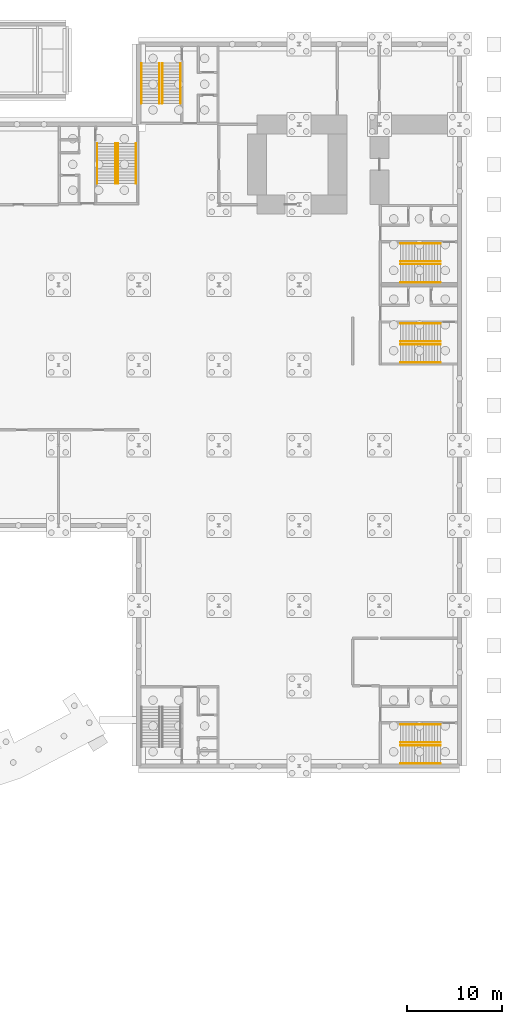
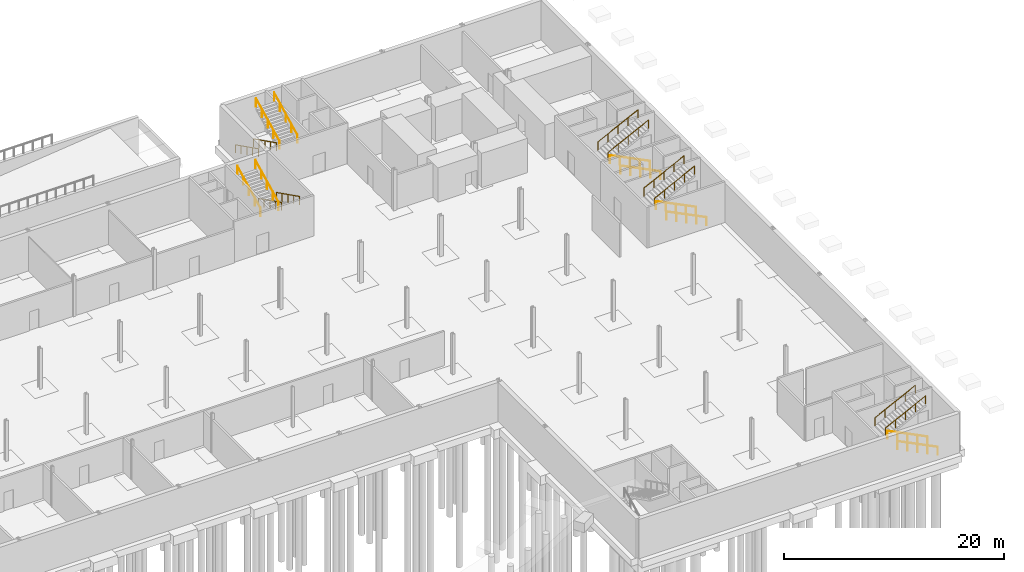
# One storey, part 35 of 35: 20 railings.
"""IFC4 building model written with IfcOpenShell, lengths in metres."""

from ifc_helpers import new_model, si_unit, direction, frame, origin, origin_2d, place, context, subcontext, project, spatial, circle, extrude, material, type_object, element, save


model = new_model("IFC4")

# Units and contexts
model_context = context("Model", 3, precision=1e-05, world=origin(), true_north=direction((0.0, 1.0)))
body_context = subcontext(model_context, "Body", "Model", "MODEL_VIEW")
ifc_project = project(units=[si_unit("LENGTHUNIT", "METRE"), si_unit("AREAUNIT", "SQUARE_METRE"), si_unit("VOLUMEUNIT", "CUBIC_METRE"), si_unit("PLANEANGLEUNIT", "RADIAN"), si_unit("MASSUNIT", "GRAM", prefix="KILO")], contexts=[model_context])

# Site, building, storey
site_placement = place(None, origin())
site = spatial("IfcSite", under=ifc_project, at=site_placement, CompositionType="ELEMENT")
building_placement = place(site_placement, origin())
building = spatial("IfcBuilding", under=site, at=building_placement, Name="Ardhachandra Cancer Care Centre", CompositionType="ELEMENT")
storey_placement = place(building_placement, frame((0.0, 0.0, -4.5)))
storey = spatial("IfcBuildingStorey", under=building, at=storey_placement, Name="B1", CompositionType="ELEMENT", Elevation=-4.5)

# Railings
ifc_material = material(Name="Steel E250 (IS 2062)", Category="steel")
railing_type = type_object("IfcRailingType", Name="Stair handrail 900", PredefinedType="HANDRAIL", material=ifc_material)
for number, where, name in (
    (1, (111.340087890625, 94.60009765625, 0.14990234375), "Handrail K7 B1-L00 flight 1 wall side"),
    (2, (109.449951171875, 94.60009765625, 0.14990234375), "Handrail K7 B1-L00 flight 1 well side"),
):
    element("IfcRailing", number, at=place(storey_placement, frame(where)), inside=storey, type_object=railing_type, Name=name, PredefinedType="HANDRAIL", context=body_context, shape_type="SweptSolid", body=[
        extrude(circle(Radius=0.02392578125, at=origin_2d()), frame((0.0, 0.0, 0.8759765625), z_axis=(0.0, -0.894427191, 0.4472135955), x_axis=(1.0, 0.0, 0.0)), (0.0, 0.0, 1.0), 4.696044921875),
        extrude(circle(Radius=0.02099609375, at=origin_2d()), origin(), (0.0, 0.0, 1.0), 0.851806640625),
        extrude(circle(Radius=0.02099609375, at=origin_2d()), frame((0.0, -1.050048828125, 0.52490234375)), (0.0, 0.0, 1.0), 0.851806640625),
        extrude(circle(Radius=0.02099609375, at=origin_2d()), frame((0.0, -2.10009765625, 1.050048828125)), (0.0, 0.0, 1.0), 0.851806640625),
        extrude(circle(Radius=0.02099609375, at=origin_2d()), frame((0.0, -3.150146484375, 1.5751953125)), (0.0, 0.0, 1.0), 0.851806640625),
        extrude(circle(Radius=0.02099609375, at=origin_2d()), frame((0.0, -4.2001953125, 2.10009765625)), (0.0, 0.0, 1.0), 0.851806640625),
    ])
for number, where, name in (
    (3, (109.14990234375, 90.39990234375, 2.39990234375), "Handrail K7 B1-L00 flight 2 well side"),
    (4, (107.260009765625, 90.39990234375, 2.39990234375), "Handrail K7 B1-L00 flight 2 wall side"),
):
    element("IfcRailing", number, at=place(storey_placement, frame(where)), inside=storey, type_object=railing_type, Name=name, PredefinedType="HANDRAIL", context=body_context, shape_type="SweptSolid", body=[
        extrude(circle(Radius=0.02392578125, at=origin_2d()), frame((0.0, 0.0, 0.8759765625), z_axis=(0.0, 0.894427191, 0.4472135955), x_axis=(-1.0, 0.0, 0.0)), (0.0, 0.0, 1.0), 4.696044921875),
        extrude(circle(Radius=0.02099609375, at=origin_2d()), origin(), (0.0, 0.0, 1.0), 0.851806640625),
        extrude(circle(Radius=0.02099609375, at=origin_2d()), frame((0.0, 1.050048828125, 0.52490234375)), (0.0, 0.0, 1.0), 0.851806640625),
        extrude(circle(Radius=0.02099609375, at=origin_2d()), frame((0.0, 2.10009765625, 1.050048828125)), (0.0, 0.0, 1.0), 0.851806640625),
        extrude(circle(Radius=0.02099609375, at=origin_2d()), frame((0.0, 3.150146484375, 1.5751953125)), (0.0, 0.0, 1.0), 0.851806640625),
        extrude(circle(Radius=0.02099609375, at=origin_2d()), frame((0.0, 4.2001953125, 2.10009765625)), (0.0, 0.0, 1.0), 0.851806640625),
    ])
for number, where, name in (
    (5, (143.199951171875, 29.68505859375, 0.14990234375), "Handrail K9 B1-L00 flight 1 wall side"),
    (6, (143.199951171875, 31.574951171875, 0.14990234375), "Handrail K9 B1-L00 flight 1 well side"),
):
    element("IfcRailing", number, at=place(storey_placement, frame(where)), inside=storey, type_object=railing_type, Name=name, PredefinedType="HANDRAIL", context=body_context, shape_type="SweptSolid", body=[
        extrude(circle(Radius=0.02392578125, at=origin_2d()), frame((0.0, 0.0, 0.8759765625), z_axis=(-0.894416792377, 0.0, 0.447234392142), x_axis=(0.0, -1.0, 0.0)), (0.0, 0.0, 1.0), 4.69580078125),
        extrude(circle(Radius=0.02099609375, at=origin_2d()), origin(), (0.0, 0.0, 1.0), 0.851806640625),
        extrude(circle(Radius=0.02099609375, at=origin_2d()), frame((-1.050048828125, 0.0, 0.52490234375)), (0.0, 0.0, 1.0), 0.851806640625),
        extrude(circle(Radius=0.02099609375, at=origin_2d()), frame((-2.10009765625, 0.0, 1.050048828125)), (0.0, 0.0, 1.0), 0.851806640625),
        extrude(circle(Radius=0.02099609375, at=origin_2d()), frame((-3.14990234375, 0.0, 1.5751953125)), (0.0, 0.0, 1.0), 0.851806640625),
        extrude(circle(Radius=0.02099609375, at=origin_2d()), frame((-4.199951171875, 0.0, 2.10009765625)), (0.0, 0.0, 1.0), 0.851806640625),
    ])
for number, where, name in (
    (7, (139.0, 31.875, 2.39990234375), "Handrail K9 B1-L00 flight 2 well side"),
    (8, (139.0, 33.764892578125, 2.39990234375), "Handrail K9 B1-L00 flight 2 wall side"),
):
    element("IfcRailing", number, at=place(storey_placement, frame(where)), inside=storey, type_object=railing_type, Name=name, PredefinedType="HANDRAIL", context=body_context, shape_type="SweptSolid", body=[
        extrude(circle(Radius=0.02392578125, at=origin_2d()), frame((0.0, 0.0, 0.8759765625), z_axis=(0.894416792377, 0.0, 0.447234392142), x_axis=(0.0, 1.0, 0.0)), (0.0, 0.0, 1.0), 4.69580078125),
        extrude(circle(Radius=0.02099609375, at=origin_2d()), origin(), (0.0, 0.0, 1.0), 0.851806640625),
        extrude(circle(Radius=0.02099609375, at=origin_2d()), frame((1.050048828125, 0.0, 0.52490234375)), (0.0, 0.0, 1.0), 0.851806640625),
        extrude(circle(Radius=0.02099609375, at=origin_2d()), frame((2.10009765625, 0.0, 1.050048828125)), (0.0, 0.0, 1.0), 0.851806640625),
        extrude(circle(Radius=0.02099609375, at=origin_2d()), frame((3.14990234375, 0.0, 1.5751953125)), (0.0, 0.0, 1.0), 0.851806640625),
        extrude(circle(Radius=0.02099609375, at=origin_2d()), frame((4.199951171875, 0.0, 2.10009765625)), (0.0, 0.0, 1.0), 0.851806640625),
    ])
for number, where, name in (
    (9, (143.199951171875, 71.659912109375, 0.14990234375), "Handrail K10 B1-L00 flight 1 wall side"),
    (10, (143.199951171875, 73.550048828125, 0.14990234375), "Handrail K10 B1-L00 flight 1 well side"),
):
    element("IfcRailing", number, at=place(storey_placement, frame(where)), inside=storey, type_object=railing_type, Name=name, PredefinedType="HANDRAIL", context=body_context, shape_type="SweptSolid", body=[
        extrude(circle(Radius=0.02392578125, at=origin_2d()), frame((0.0, 0.0, 0.8759765625), z_axis=(-0.894416792377, 0.0, 0.447234392142), x_axis=(0.0, -1.0, 0.0)), (0.0, 0.0, 1.0), 4.69580078125),
        extrude(circle(Radius=0.02099609375, at=origin_2d()), origin(), (0.0, 0.0, 1.0), 0.851806640625),
        extrude(circle(Radius=0.02099609375, at=origin_2d()), frame((-1.050048828125, 0.0, 0.52490234375)), (0.0, 0.0, 1.0), 0.851806640625),
        extrude(circle(Radius=0.02099609375, at=origin_2d()), frame((-2.10009765625, 0.0, 1.050048828125)), (0.0, 0.0, 1.0), 0.851806640625),
        extrude(circle(Radius=0.02099609375, at=origin_2d()), frame((-3.14990234375, 0.0, 1.5751953125)), (0.0, 0.0, 1.0), 0.851806640625),
        extrude(circle(Radius=0.02099609375, at=origin_2d()), frame((-4.199951171875, 0.0, 2.10009765625)), (0.0, 0.0, 1.0), 0.851806640625),
    ])
for number, where, name in (
    (11, (139.0, 73.85009765625, 2.39990234375), "Handrail K10 B1-L00 flight 2 well side"),
    (12, (139.0, 75.739990234375, 2.39990234375), "Handrail K10 B1-L00 flight 2 wall side"),
):
    element("IfcRailing", number, at=place(storey_placement, frame(where)), inside=storey, type_object=railing_type, Name=name, PredefinedType="HANDRAIL", context=body_context, shape_type="SweptSolid", body=[
        extrude(circle(Radius=0.02392578125, at=origin_2d()), frame((0.0, 0.0, 0.8759765625), z_axis=(0.894416792377, 0.0, 0.447234392142), x_axis=(0.0, 1.0, 0.0)), (0.0, 0.0, 1.0), 4.69580078125),
        extrude(circle(Radius=0.02099609375, at=origin_2d()), origin(), (0.0, 0.0, 1.0), 0.851806640625),
        extrude(circle(Radius=0.02099609375, at=origin_2d()), frame((1.050048828125, 0.0, 0.52490234375)), (0.0, 0.0, 1.0), 0.851806640625),
        extrude(circle(Radius=0.02099609375, at=origin_2d()), frame((2.10009765625, 0.0, 1.050048828125)), (0.0, 0.0, 1.0), 0.851806640625),
        extrude(circle(Radius=0.02099609375, at=origin_2d()), frame((3.14990234375, 0.0, 1.5751953125)), (0.0, 0.0, 1.0), 0.851806640625),
        extrude(circle(Radius=0.02099609375, at=origin_2d()), frame((4.199951171875, 0.0, 2.10009765625)), (0.0, 0.0, 1.0), 0.851806640625),
    ])
for number, where, name in (
    (13, (111.885009765625, 103.0, 0.14990234375), "Handrail K12 B1-L00 flight 1 wall side"),
    (14, (113.77490234375, 103.0, 0.14990234375), "Handrail K12 B1-L00 flight 1 well side"),
):
    element("IfcRailing", number, at=place(storey_placement, frame(where)), inside=storey, type_object=railing_type, Name=name, PredefinedType="HANDRAIL", context=body_context, shape_type="SweptSolid", body=[
        extrude(circle(Radius=0.02392578125, at=origin_2d()), frame((0.0, 0.0, 0.8759765625), z_axis=(0.0, -0.894416792377, 0.447234392142), x_axis=(1.0, 0.0, 0.0)), (0.0, 0.0, 1.0), 4.69580078125),
        extrude(circle(Radius=0.02099609375, at=origin_2d()), origin(), (0.0, 0.0, 1.0), 0.851806640625),
        extrude(circle(Radius=0.02099609375, at=origin_2d()), frame((0.0, -1.050048828125, 0.52490234375)), (0.0, 0.0, 1.0), 0.851806640625),
        extrude(circle(Radius=0.02099609375, at=origin_2d()), frame((0.0, -2.10009765625, 1.050048828125)), (0.0, 0.0, 1.0), 0.851806640625),
        extrude(circle(Radius=0.02099609375, at=origin_2d()), frame((0.0, -3.14990234375, 1.5751953125)), (0.0, 0.0, 1.0), 0.851806640625),
        extrude(circle(Radius=0.02099609375, at=origin_2d()), frame((0.0, -4.199951171875, 2.10009765625)), (0.0, 0.0, 1.0), 0.851806640625),
    ])
for number, where, name in (
    (15, (114.074951171875, 98.800048828125, 2.39990234375), "Handrail K12 B1-L00 flight 2 well side"),
    (16, (115.965087890625, 98.800048828125, 2.39990234375), "Handrail K12 B1-L00 flight 2 wall side"),
):
    element("IfcRailing", number, at=place(storey_placement, frame(where)), inside=storey, type_object=railing_type, Name=name, PredefinedType="HANDRAIL", context=body_context, shape_type="SweptSolid", body=[
        extrude(circle(Radius=0.02392578125, at=origin_2d()), frame((0.0, 0.0, 0.8759765625), z_axis=(0.0, 0.894416792377, 0.447234392142), x_axis=(-1.0, 0.0, 0.0)), (0.0, 0.0, 1.0), 4.69580078125),
        extrude(circle(Radius=0.02099609375, at=origin_2d()), origin(), (0.0, 0.0, 1.0), 0.851806640625),
        extrude(circle(Radius=0.02099609375, at=origin_2d()), frame((0.0, 1.050048828125, 0.52490234375)), (0.0, 0.0, 1.0), 0.851806640625),
        extrude(circle(Radius=0.02099609375, at=origin_2d()), frame((0.0, 2.10009765625, 1.050048828125)), (0.0, 0.0, 1.0), 0.851806640625),
        extrude(circle(Radius=0.02099609375, at=origin_2d()), frame((0.0, 3.14990234375, 1.5751953125)), (0.0, 0.0, 1.0), 0.851806640625),
        extrude(circle(Radius=0.02099609375, at=origin_2d()), frame((0.0, 4.199951171875, 2.10009765625)), (0.0, 0.0, 1.0), 0.851806640625),
    ])
for number, where, name in (
    (17, (143.199951171875, 80.06005859375, 0.14990234375), "Handrail K13 B1-L00 flight 1 wall side"),
    (18, (143.199951171875, 81.949951171875, 0.14990234375), "Handrail K13 B1-L00 flight 1 well side"),
):
    element("IfcRailing", number, at=place(storey_placement, frame(where)), inside=storey, type_object=railing_type, Name=name, PredefinedType="HANDRAIL", context=body_context, shape_type="SweptSolid", body=[
        extrude(circle(Radius=0.02392578125, at=origin_2d()), frame((0.0, 0.0, 0.8759765625), z_axis=(-0.894416792377, 0.0, 0.447234392142), x_axis=(0.0, -1.0, 0.0)), (0.0, 0.0, 1.0), 4.69580078125),
        extrude(circle(Radius=0.02099609375, at=origin_2d()), origin(), (0.0, 0.0, 1.0), 0.851806640625),
        extrude(circle(Radius=0.02099609375, at=origin_2d()), frame((-1.050048828125, 0.0, 0.52490234375)), (0.0, 0.0, 1.0), 0.851806640625),
        extrude(circle(Radius=0.02099609375, at=origin_2d()), frame((-2.10009765625, 0.0, 1.050048828125)), (0.0, 0.0, 1.0), 0.851806640625),
        extrude(circle(Radius=0.02099609375, at=origin_2d()), frame((-3.14990234375, 0.0, 1.5751953125)), (0.0, 0.0, 1.0), 0.851806640625),
        extrude(circle(Radius=0.02099609375, at=origin_2d()), frame((-4.199951171875, 0.0, 2.10009765625)), (0.0, 0.0, 1.0), 0.851806640625),
    ])
for number, where, name in (
    (19, (139.0, 82.25, 2.39990234375), "Handrail K13 B1-L00 flight 2 well side"),
    (20, (139.0, 84.139892578125, 2.39990234375), "Handrail K13 B1-L00 flight 2 wall side"),
):
    element("IfcRailing", number, at=place(storey_placement, frame(where)), inside=storey, type_object=railing_type, Name=name, PredefinedType="HANDRAIL", context=body_context, shape_type="SweptSolid", body=[
        extrude(circle(Radius=0.02392578125, at=origin_2d()), frame((0.0, 0.0, 0.8759765625), z_axis=(0.894416792377, 0.0, 0.447234392142), x_axis=(0.0, 1.0, 0.0)), (0.0, 0.0, 1.0), 4.69580078125),
        extrude(circle(Radius=0.02099609375, at=origin_2d()), origin(), (0.0, 0.0, 1.0), 0.851806640625),
        extrude(circle(Radius=0.02099609375, at=origin_2d()), frame((1.050048828125, 0.0, 0.52490234375)), (0.0, 0.0, 1.0), 0.851806640625),
        extrude(circle(Radius=0.02099609375, at=origin_2d()), frame((2.10009765625, 0.0, 1.050048828125)), (0.0, 0.0, 1.0), 0.851806640625),
        extrude(circle(Radius=0.02099609375, at=origin_2d()), frame((3.14990234375, 0.0, 1.5751953125)), (0.0, 0.0, 1.0), 0.851806640625),
        extrude(circle(Radius=0.02099609375, at=origin_2d()), frame((4.199951171875, 0.0, 2.10009765625)), (0.0, 0.0, 1.0), 0.851806640625),
    ])

save(model, "model.ifc")
